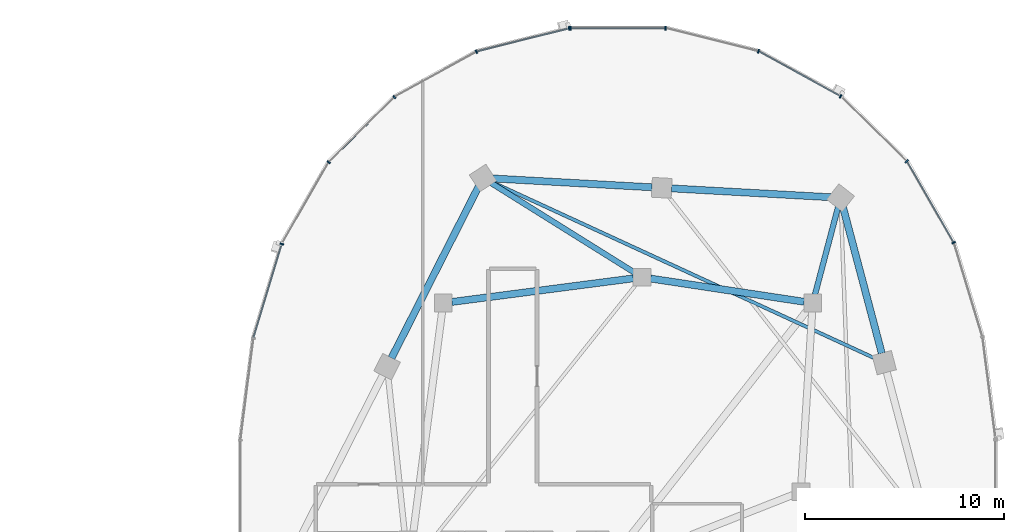
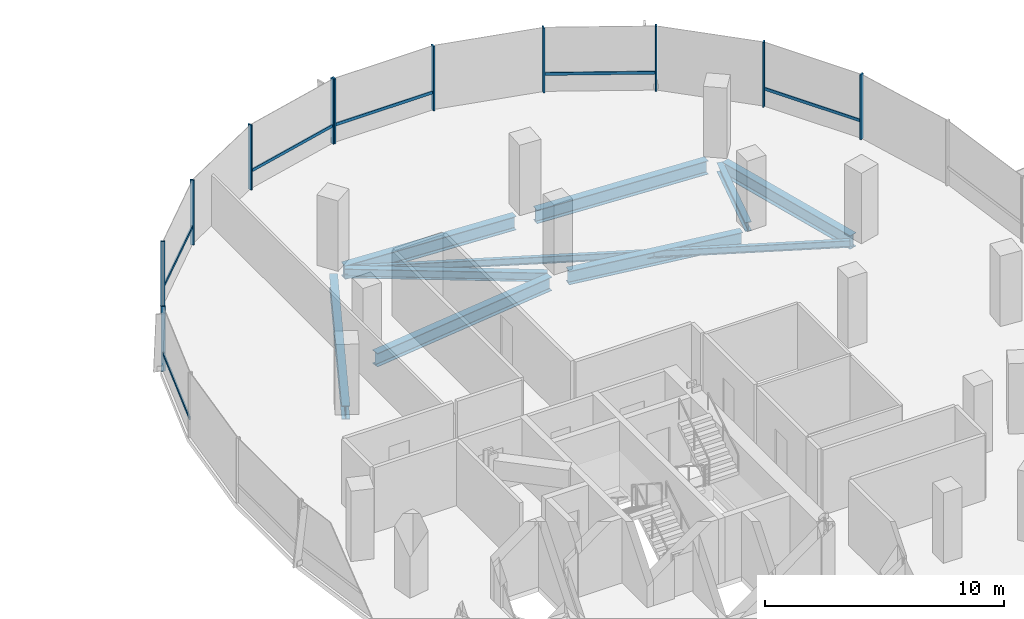
# One storey, part 9 of 21: 17 members, 9 beams, 2 elements without a shape of their own.
"""IFC4 building model written with IfcOpenShell, lengths in metres."""

from ifc_helpers import new_model, si_unit, direction, frame, origin, origin_2d, place, context, subcontext, project, spatial, rectangle, i_section, extrude, material, material_profile, profile_set, type_object, element, aggregate, save


model = new_model("IFC4")

# Units and contexts
model_context = context("Model", 3, precision=1e-05, world=origin(), true_north=direction((0.0, 1.0)))
body_context = subcontext(model_context, "Body", "Model", "MODEL_VIEW")
ifc_project = project(units=[si_unit("LENGTHUNIT", "METRE"), si_unit("AREAUNIT", "SQUARE_METRE"), si_unit("VOLUMEUNIT", "CUBIC_METRE"), si_unit("PLANEANGLEUNIT", "RADIAN"), si_unit("MASSUNIT", "GRAM", prefix="KILO"), si_unit("THERMODYNAMICTEMPERATUREUNIT", "KELVIN"), si_unit("POWERUNIT", "WATT")], contexts=[model_context])

# Site, building, storey
site_placement = place(None, origin())
site = spatial("IfcSite", under=ifc_project, at=site_placement, CompositionType="ELEMENT")
building_placement = place(site_placement, origin())
building = spatial("IfcBuilding", under=site, at=building_placement, Name="Cundina Bronze Exchange", CompositionType="ELEMENT")
storey_placement = place(building_placement, frame((0.0, 0.0, 183.60009765625)))
storey = spatial("IfcBuildingStorey", under=building, at=storey_placement, Name="L48", CompositionType="ELEMENT", Elevation=183.60009765625)

# Beams
ifc_material_1 = material(Name="Steel ASTM A992 Grade 50", Category="steel")
ifc_material_profile_1 = material_profile(ifc_material_1, i_section(OverallWidth=0.280029296875, OverallDepth=0.462890625, WebThickness=0.0107421875, FlangeThickness=0.017333984375, FilletRadius=0.011962890625, at=origin_2d()), Name="W18X76", Category="steel")
ifc_profile_set_1 = profile_set([ifc_material_profile_1], Name="Steel ASTM A992 Grade 50")
beam_type_1 = type_object("IfcBeamType", Name="BM-FLR-W18A", PredefinedType="BEAM", material=ifc_profile_set_1)
beam_1_placement = place(storey_placement, frame((41.911865234375, 9.923583984375, -0.4716796875), z_axis=(0.255413807463, 0.966831829719, 0.0), x_axis=(-0.966831829719, 0.255413807463, 0.0)))
element("IfcBeam", 1, at=beam_1_placement, inside=storey, type_object=beam_type_1, Name="L48 Leg E Chordal Floor Beam 10", PredefinedType="BEAM", context=body_context, shape_type="SweptSolid", body=[
    extrude(i_section(OverallWidth=0.280029296875, OverallDepth=0.462890625, WebThickness=0.0107421875, FlangeThickness=0.017333984375, FilletRadius=0.011962890625, at=origin_2d()), origin(), (0.0, 0.0, 1.0), 4.5556640625),
])
beam_2_placement = place(storey_placement, frame((32.82861328125, 11.031982421875, -0.4716796875), z_axis=(-0.847985407265, 0.530019574228, 0.0), x_axis=(-0.530019574228, -0.847985407265, 0.0)))
element("IfcBeam", 2, at=beam_2_placement, inside=storey, type_object=beam_type_1, Name="L48 Leg E Chordal Floor Beam 12", PredefinedType="BEAM", context=body_context, shape_type="SweptSolid", body=[
    extrude(i_section(OverallWidth=0.280029296875, OverallDepth=0.462890625, WebThickness=0.0107421875, FlangeThickness=0.017333984375, FilletRadius=0.011962890625, at=origin_2d()), origin(), (0.0, 0.0, 1.0), 8.50830078125),
])
ifc_material_profile_2 = material_profile(ifc_material_1, i_section(OverallWidth=0.172119140625, OverallDepth=0.35791015625, WebThickness=0.0078125, FlangeThickness=0.01318359375, FilletRadius=0.010009765625, at=origin_2d()), Name="W14X38", Category="steel")
ifc_profile_set_2 = profile_set([ifc_material_profile_2], Name="Steel ASTM A992 Grade 50")
beam_type_2 = type_object("IfcBeamType", Name="BM-JST-W14", PredefinedType="JOIST", material=ifc_profile_set_2)
beam_3_placement = place(storey_placement, frame((44.956787109375, 6.7041015625, -0.419189453125), z_axis=(-0.908353865734, 0.418202408655, 0.0), x_axis=(-0.418202408655, -0.908353865734, 0.0)))
element("IfcBeam", 3, at=beam_3_placement, inside=storey, type_object=beam_type_2, Name="L48 Leg E Lobe Floor Joist 09-12", PredefinedType="JOIST", context=body_context, shape_type="SweptSolid", body=[
    extrude(i_section(OverallWidth=0.172119140625, OverallDepth=0.35791015625, WebThickness=0.0078125, FlangeThickness=0.01318359375, FilletRadius=0.010009765625, at=origin_2d()), origin(), (0.0, 0.0, 1.0), 21.261962890625),
])
ifc_material_profile_3 = material_profile(ifc_material_1, i_section(OverallWidth=0.35498046875, OverallDepth=0.695068359375, WebThickness=0.015380859375, FlangeThickness=0.02490234375, FilletRadius=0.01806640625, at=origin_2d()), Name="W27X146", Category="steel")
ifc_profile_set_3 = profile_set([ifc_material_profile_3], Name="Steel ASTM A992 Grade 50")
beam_type_3 = type_object("IfcBeamType", Name="BM-RING-W27", PredefinedType="USERDEFINED", material=ifc_profile_set_3)
beam_4_placement = place(storey_placement, frame((41.366943359375, 9.5654296875, -0.587646484375), z_axis=(-0.988764903598, 0.149478979839, 0.0), x_axis=(-0.149478979839, -0.988764903598, 0.0)))
element("IfcBeam", 4, at=beam_4_placement, inside=storey, type_object=beam_type_3, Name="L48 E Inner Structural Ring Girder 05", ObjectType="GIRDER", PredefinedType="USERDEFINED", context=body_context, shape_type="SweptSolid", body=[
    extrude(i_section(OverallWidth=0.35498046875, OverallDepth=0.695068359375, WebThickness=0.015380859375, FlangeThickness=0.02490234375, FilletRadius=0.01806640625, at=origin_2d()), origin(), (0.0, 0.0, 1.0), 7.82177734375),
])
beam_5_placement = place(storey_placement, frame((32.765625, 10.743408203125, -0.587646484375), z_axis=(-0.991656498582, -0.128908451316, 0.0), x_axis=(0.128908451316, -0.991656498582, 0.0)))
element("IfcBeam", 5, at=beam_5_placement, inside=storey, type_object=beam_type_3, Name="L48 E Inner Structural Ring Girder 06", ObjectType="GIRDER", PredefinedType="USERDEFINED", context=body_context, shape_type="SweptSolid", body=[
    extrude(i_section(OverallWidth=0.35498046875, OverallDepth=0.695068359375, WebThickness=0.015380859375, FlangeThickness=0.02490234375, FilletRadius=0.01806640625, at=origin_2d()), origin(), (0.0, 0.0, 1.0), 9.208251953125),
])
beam_6_placement = place(storey_placement, frame((45.27490234375, 6.9716796875, -0.587646484375), z_axis=(-0.256210841755, 0.96662092082, 0.0), x_axis=(-0.96662092082, -0.256210841755, 0.0)))
element("IfcBeam", 6, at=beam_6_placement, inside=storey, type_object=beam_type_3, Name="L48 E Perimeter Ring Girder 09", ObjectType="GIRDER", PredefinedType="USERDEFINED", context=body_context, shape_type="SweptSolid", body=[
    extrude(i_section(OverallWidth=0.35498046875, OverallDepth=0.695068359375, WebThickness=0.015380859375, FlangeThickness=0.02490234375, FilletRadius=0.01806640625, at=origin_2d()), origin(), (0.0, 0.0, 1.0), 7.61083984375),
])
for number, where, z_axis, x_axis, name in (
    (7, (42.712890625, 14.8271484375, -0.587646484375), (-0.998460820451, 0.055461608559, 0.0), (-0.055461608559, -0.998460820451, 0.0), "L48 E Perimeter Ring Girder 10"),
    (8, (33.712890625, 15.3271484375, -0.587646484375), (-0.998460820451, 0.055461608559, 0.0), (-0.055461608559, -0.998460820451, 0.0), "L48 E Perimeter Ring Girder 11"),
):
    element("IfcBeam", number, at=place(storey_placement, frame(where, z_axis=z_axis, x_axis=x_axis)), inside=storey, type_object=beam_type_3, Name=name, ObjectType="GIRDER", PredefinedType="USERDEFINED", context=body_context, shape_type="SweptSolid", body=[
        extrude(i_section(OverallWidth=0.35498046875, OverallDepth=0.695068359375, WebThickness=0.015380859375, FlangeThickness=0.02490234375, FilletRadius=0.01806640625, at=origin_2d()), origin(), (0.0, 0.0, 1.0), 8.0380859375),
    ])
beam_7_placement = place(storey_placement, frame((24.97900390625, 15.364990234375, -0.587646484375), z_axis=(-0.452834585354, -0.891594548159, 0.0), x_axis=(0.891594548159, -0.452834585354, 0.0)))
element("IfcBeam", 9, at=beam_7_placement, inside=storey, type_object=beam_type_3, Name="L48 E Perimeter Ring Girder 12", ObjectType="GIRDER", PredefinedType="USERDEFINED", context=body_context, shape_type="SweptSolid", body=[
    extrude(i_section(OverallWidth=0.35498046875, OverallDepth=0.695068359375, WebThickness=0.015380859375, FlangeThickness=0.02490234375, FilletRadius=0.01806640625, at=origin_2d()), origin(), (0.0, 0.0, 1.0), 9.67919921875),
])

# Curtain wall, members
ifc_material_2 = material(Name="Anodised Bronze Aluminium 6063-T6", Category="aluminium")
curtain_wall_type = type_object("IfcCurtainWallType", Name="CWS-WST-PIN", PredefinedType="NOTDEFINED", material=ifc_material_2)
curtain_wall_1_placement = place(storey_placement, origin())
curtain_wall_1 = element("IfcCurtainWall", 10, at=curtain_wall_1_placement, inside=storey, type_object=curtain_wall_type, Name="L48 CW-04 Curtain Wall Run CWR-L48-E1", PredefinedType="NOTDEFINED")
ifc_material_profile_4 = material_profile(ifc_material_2, rectangle(XDim=0.070068359375, YDim=0.18994140625, at=origin_2d()), Name="AL70X190", Category="aluminium")
ifc_profile_set_4 = profile_set([ifc_material_profile_4], Name="Anodised Bronze Aluminium 6063-T6")
member_type_1 = type_object("IfcMemberType", Name="CWM-MUL-190", PredefinedType="MULLION", material=ifc_profile_set_4)
member_1_placement = place(storey_placement, frame((48.89794921875, 12.541259765625, 0.0), z_axis=(0.0, 0.0, 1.0), x_axis=(-0.498487739754, 0.866896748936, 0.0)))
member_1 = element("IfcMember", 11, at=member_1_placement, type_object=member_type_1, Name="CW-04 Mullion 3", PredefinedType="MULLION", context=body_context, shape_type="SweptSolid", body=[
    extrude(rectangle(XDim=0.070068359375, YDim=0.18994140625, at=origin_2d()), origin(), (0.0, 0.0, 1.0), 3.31982421875),
])
member_2_placement = place(storey_placement, frame((46.530517578125, 16.640380859375, 0.0), z_axis=(0.0, 0.0, 1.0), x_axis=(-0.712026045991, 0.702153052995, 0.0)))
member_2 = element("IfcMember", 12, at=member_2_placement, type_object=member_type_1, Name="CW-04 Mullion 4", PredefinedType="MULLION", context=body_context, shape_type="SweptSolid", body=[
    extrude(rectangle(XDim=0.070068359375, YDim=0.18994140625, at=origin_2d()), origin(), (0.0, 0.0, 1.0), 3.31982421875),
])
member_3_placement = place(storey_placement, frame((43.20654296875, 19.906005859375, 0.0), z_axis=(0.0, 0.0, 1.0), x_axis=(-0.875885937035, 0.482518212408, 0.0)))
member_3 = element("IfcMember", 13, at=member_3_placement, type_object=member_type_1, Name="CW-04 Mullion 5", PredefinedType="MULLION", context=body_context, shape_type="SweptSolid", body=[
    extrude(rectangle(XDim=0.070068359375, YDim=0.18994140625, at=origin_2d()), origin(), (0.0, 0.0, 1.0), 3.31982421875),
])
member_4_placement = place(storey_placement, frame((39.067626953125, 22.17626953125, 0.0), z_axis=(0.0, 0.0, 1.0), x_axis=(-0.970084240161, 0.242768546132, 0.0)))
member_4 = element("IfcMember", 14, at=member_4_placement, type_object=member_type_1, Name="CW-04 Mullion 6", PredefinedType="MULLION", context=body_context, shape_type="SweptSolid", body=[
    extrude(rectangle(XDim=0.070068359375, YDim=0.18994140625, at=origin_2d()), origin(), (0.0, 0.0, 1.0), 3.31982421875),
])
member_5_placement = place(storey_placement, frame((34.39404296875, 23.3369140625, 0.0), z_axis=(0.0, 0.0, 1.0), x_axis=(-1.0, 0.0, 0.0)))
member_5 = element("IfcMember", 15, at=member_5_placement, type_object=member_type_1, Name="CW-04 Mullion 7", PredefinedType="MULLION", context=body_context, shape_type="SweptSolid", body=[
    extrude(rectangle(XDim=0.070068359375, YDim=0.18994140625, at=origin_2d()), origin(), (0.0, 0.0, 1.0), 3.31982421875),
])
member_6_placement = place(storey_placement, frame((29.60595703125, 23.3369140625, 0.0), z_axis=(0.0, 0.0, 1.0), x_axis=(-1.0, 0.0, 0.0)))
member_6 = element("IfcMember", 16, at=member_6_placement, type_object=member_type_1, Name="CW-04 End Mullion", PredefinedType="MULLION", context=body_context, shape_type="SweptSolid", body=[
    extrude(rectangle(XDim=0.070068359375, YDim=0.18994140625, at=origin_2d()), origin(), (0.0, 0.0, 1.0), 3.31982421875),
])

curtain_wall_2_placement = place(storey_placement, origin())
curtain_wall_2 = element("IfcCurtainWall", 17, at=curtain_wall_2_placement, inside=storey, type_object=curtain_wall_type, Name="L48 CW-04 Curtain Wall Run CWR-L48-E2", PredefinedType="NOTDEFINED")
member_7_placement = place(storey_placement, frame((29.537353515625, 23.32861328125, 0.0), z_axis=(0.0, 0.0, 1.0), x_axis=(-0.970084240161, -0.242768546132, 0.0)))
member_7 = element("IfcMember", 18, at=member_7_placement, type_object=member_type_1, Name="CW-04 Mullion 1", PredefinedType="MULLION", context=body_context, shape_type="SweptSolid", body=[
    extrude(rectangle(XDim=0.070068359375, YDim=0.18994140625, at=origin_2d()), origin(), (0.0, 0.0, 1.0), 3.31982421875),
])
member_8_placement = place(storey_placement, frame((24.86962890625, 22.151611328125, 0.0), z_axis=(0.0, 0.0, 1.0), x_axis=(-0.875885937035, -0.482518212408, 0.0)))
member_8 = element("IfcMember", 19, at=member_8_placement, type_object=member_type_1, Name="CW-04 Mullion 2", PredefinedType="MULLION", context=body_context, shape_type="SweptSolid", body=[
    extrude(rectangle(XDim=0.070068359375, YDim=0.18994140625, at=origin_2d()), origin(), (0.0, 0.0, 1.0), 3.31982421875),
])
member_9_placement = place(storey_placement, frame((20.740966796875, 19.86669921875, 0.0), z_axis=(0.0, 0.0, 1.0), x_axis=(-0.712026045991, -0.702153052995, 0.0)))
member_9 = element("IfcMember", 20, at=member_9_placement, type_object=member_type_1, Name="CW-04 Mullion 3", PredefinedType="MULLION", context=body_context, shape_type="SweptSolid", body=[
    extrude(rectangle(XDim=0.070068359375, YDim=0.18994140625, at=origin_2d()), origin(), (0.0, 0.0, 1.0), 3.31982421875),
])
member_10_placement = place(storey_placement, frame((17.42919921875, 16.588134765625, 0.0), z_axis=(0.0, 0.0, 1.0), x_axis=(-0.498487739754, -0.866896748936, 0.0)))
member_10 = element("IfcMember", 21, at=member_10_placement, type_object=member_type_1, Name="CW-04 Mullion 4", PredefinedType="MULLION", context=body_context, shape_type="SweptSolid", body=[
    extrude(rectangle(XDim=0.070068359375, YDim=0.18994140625, at=origin_2d()), origin(), (0.0, 0.0, 1.0), 3.31982421875),
])
member_11_placement = place(storey_placement, frame((15.07373046875, 12.4755859375, 0.0), z_axis=(0.0, 0.0, 1.0), x_axis=(-0.290034140915, -0.957016299288, 0.0)))
member_11 = element("IfcMember", 22, at=member_11_placement, type_object=member_type_1, Name="CW-04 Mullion 5", PredefinedType="MULLION", context=body_context, shape_type="SweptSolid", body=[
    extrude(rectangle(XDim=0.070068359375, YDim=0.18994140625, at=origin_2d()), origin(), (0.0, 0.0, 1.0), 3.31982421875),
])

# Member
ifc_material_profile_5 = material_profile(ifc_material_2, rectangle(XDim=0.06494140625, YDim=0.14990234375, at=origin_2d()), Name="AL65X150", Category="aluminium")
ifc_profile_set_5 = profile_set([ifc_material_profile_5], Name="Anodised Bronze Aluminium 6063-T6")
member_type_2 = type_object("IfcMemberType", Name="CWM-TRN-150", PredefinedType="USERDEFINED", material=ifc_profile_set_5)
member_12_placement = place(storey_placement, frame((48.878662109375, 12.574462890625, 0.919921875), z_axis=(-0.498479967047, 0.866901218394, 0.0), x_axis=(-0.866901218394, -0.498479967047, 0.0)))
member_12 = element("IfcMember", 23, at=member_12_placement, type_object=member_type_2, Name="CW-04 Spandrel Transom 3", ObjectType="TRANSOM", PredefinedType="USERDEFINED", context=body_context, shape_type="SweptSolid", body=[
    extrude(rectangle(XDim=0.06494140625, YDim=0.14990234375, at=origin_2d()), origin(), (0.0, 0.0, 1.0), 4.66845703125),
])

member_13_placement = place(storey_placement, frame((43.1728515625, 19.924560546875, 0.919921875), z_axis=(-0.875878981549, 0.482530838062, 0.0), x_axis=(-0.482530838062, -0.875878981549, 0.0)))
member_13 = element("IfcMember", 24, at=member_13_placement, type_object=member_type_2, Name="CW-04 Spandrel Transom 5", ObjectType="TRANSOM", PredefinedType="USERDEFINED", context=body_context, shape_type="SweptSolid", body=[
    extrude(rectangle(XDim=0.06494140625, YDim=0.14990234375, at=origin_2d()), origin(), (0.0, 0.0, 1.0), 4.65380859375),
])

member_14_placement = place(storey_placement, frame((34.35546875, 23.3369140625, 0.919921875), z_axis=(-1.0, 0.0, 0.0), x_axis=(0.0, -1.0, 0.0)))
member_14 = element("IfcMember", 25, at=member_14_placement, type_object=member_type_2, Name="CW-04 Spandrel Transom 7", ObjectType="TRANSOM", PredefinedType="USERDEFINED", context=body_context, shape_type="SweptSolid", body=[
    extrude(rectangle(XDim=0.06494140625, YDim=0.14990234375, at=origin_2d()), origin(), (0.0, 0.0, 1.0), 4.7109375),
])

aggregate(curtain_wall_1, [member_1, member_12, member_2, member_3, member_13, member_4, member_5, member_6, member_14])

member_15_placement = place(storey_placement, frame((29.5, 23.319091796875, 0.919921875), z_axis=(-0.970100130035, -0.242705042606, 0.0), x_axis=(0.242705042606, -0.970100130035, 0.0)))
member_15 = element("IfcMember", 26, at=member_15_placement, type_object=member_type_2, Name="CW-04 Spandrel Transom 1", ObjectType="TRANSOM", PredefinedType="USERDEFINED", context=body_context, shape_type="SweptSolid", body=[
    extrude(rectangle(XDim=0.06494140625, YDim=0.14990234375, at=origin_2d()), origin(), (0.0, 0.0, 1.0), 4.746826171875),
])

member_16_placement = place(storey_placement, frame((20.71337890625, 19.839599609375, 0.919921875), z_axis=(-0.712005023839, -0.702174370102, 0.0), x_axis=(0.702174370102, -0.712005023839, 0.0)))
member_16 = element("IfcMember", 27, at=member_16_placement, type_object=member_type_2, Name="CW-04 Spandrel Transom 3", ObjectType="TRANSOM", PredefinedType="USERDEFINED", context=body_context, shape_type="SweptSolid", body=[
    extrude(rectangle(XDim=0.06494140625, YDim=0.14990234375, at=origin_2d()), origin(), (0.0, 0.0, 1.0), 4.594482421875),
])

member_17_placement = place(storey_placement, frame((15.062744140625, 12.43896484375, 0.919921875), z_axis=(-0.290051855969, -0.957010930371, 0.0), x_axis=(0.957010930371, -0.290051855969, 0.0)))
member_17 = element("IfcMember", 28, at=member_17_placement, type_object=member_type_2, Name="CW-04 Spandrel Transom 5", ObjectType="TRANSOM", PredefinedType="USERDEFINED", context=body_context, shape_type="SweptSolid", body=[
    extrude(rectangle(XDim=0.06494140625, YDim=0.14990234375, at=origin_2d()), origin(), (0.0, 0.0, 1.0), 4.876953125),
])

aggregate(curtain_wall_2, [member_7, member_15, member_8, member_9, member_16, member_10, member_11, member_17])

save(model, "model.ifc")
